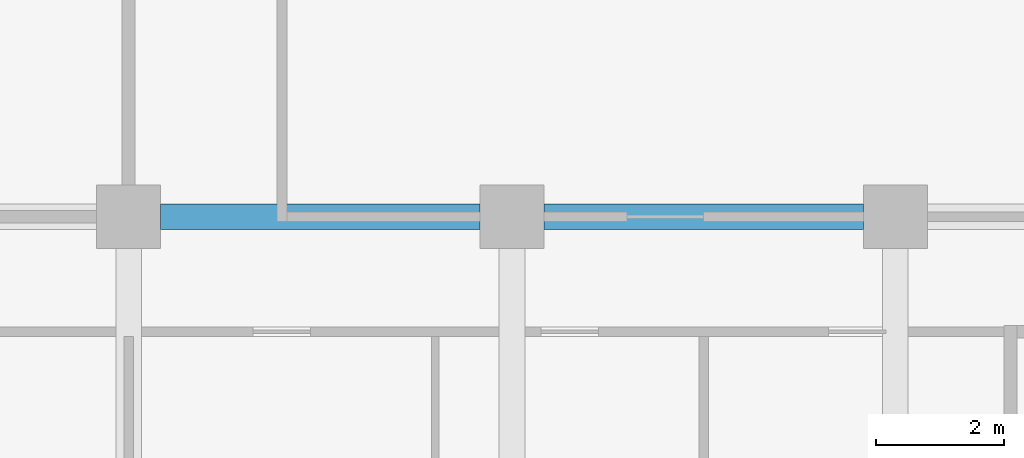
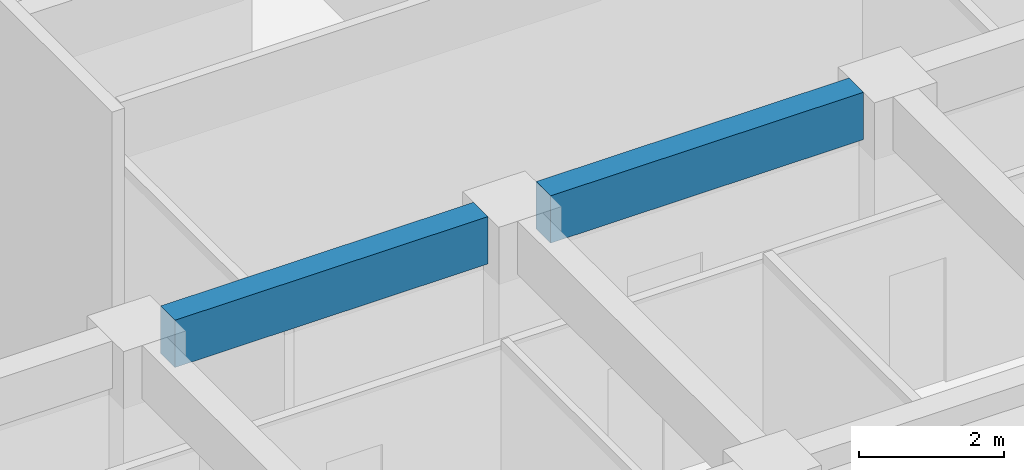
# One storey, part 38 of 92: 2 beams.
"""IFC4 building model written with IfcOpenShell, lengths in metres."""

from ifc_helpers import new_model, si_unit, direction, frame, origin, origin_2d, place, context, subcontext, project, spatial, rectangle, extrude, material, material_profile, profile_set, type_object, element, save


model = new_model("IFC4")

# Units and contexts
model_context = context("Model", 3, precision=1e-05, world=origin(), true_north=direction((0.0, 1.0)))
body_context = subcontext(model_context, "Body", "Model", "MODEL_VIEW")
ifc_project = project(units=[si_unit("LENGTHUNIT", "METRE"), si_unit("AREAUNIT", "SQUARE_METRE"), si_unit("VOLUMEUNIT", "CUBIC_METRE"), si_unit("PLANEANGLEUNIT", "RADIAN"), si_unit("MASSUNIT", "GRAM", prefix="KILO")], contexts=[model_context])

# Site, building, storey
site_placement = place(None, origin())
site = spatial("IfcSite", under=ifc_project, at=site_placement, CompositionType="ELEMENT")
building_placement = place(site_placement, origin())
building = spatial("IfcBuilding", under=site, at=building_placement, Name="Laocheng Heights Fire and Rescue Headquarters", CompositionType="ELEMENT")
storey_placement = place(building_placement, frame((0.0, 0.0, 12.60009765625)))
storey = spatial("IfcBuildingStorey", under=building, at=storey_placement, Name="L03", CompositionType="ELEMENT", Elevation=12.60009765625)

# Beams
ifc_material = material(Name="Concrete C40", Category="concrete")
ifc_material_profile = material_profile(ifc_material, rectangle(XDim=0.39990234375, YDim=0.800048828125, at=origin_2d()), Name="RC BEAM 400x800 HQ")
ifc_profile_set = profile_set([ifc_material_profile], Name="Concrete C40")
beam_type = type_object("IfcBeamType", Name="RC BEAM 400x800 HQ", PredefinedType="BEAM", material=ifc_profile_set)
for number, where, z_axis, x_axis, name in (
    (1, (66.5, 57.60009765625, 3.599853515625), (1.0, 0.0, 0.0), (0.0, 1.0, 0.0), "HQ beam L03"),
    (2, (72.5, 57.60009765625, 3.599853515625), (1.0, 0.0, 0.0), (0.0, 1.0, 0.0), "HQ beam L03"),
):
    element("IfcBeam", number, at=place(storey_placement, frame(where, z_axis=z_axis, x_axis=x_axis)), inside=storey, type_object=beam_type, Name=name, PredefinedType="BEAM", context=body_context, shape_type="SweptSolid", body=[
        extrude(rectangle(XDim=0.39990234375, YDim=0.800048828125, at=origin_2d()), origin(), (0.0, 0.0, 1.0), 5.0),
    ])

save(model, "model.ifc")
